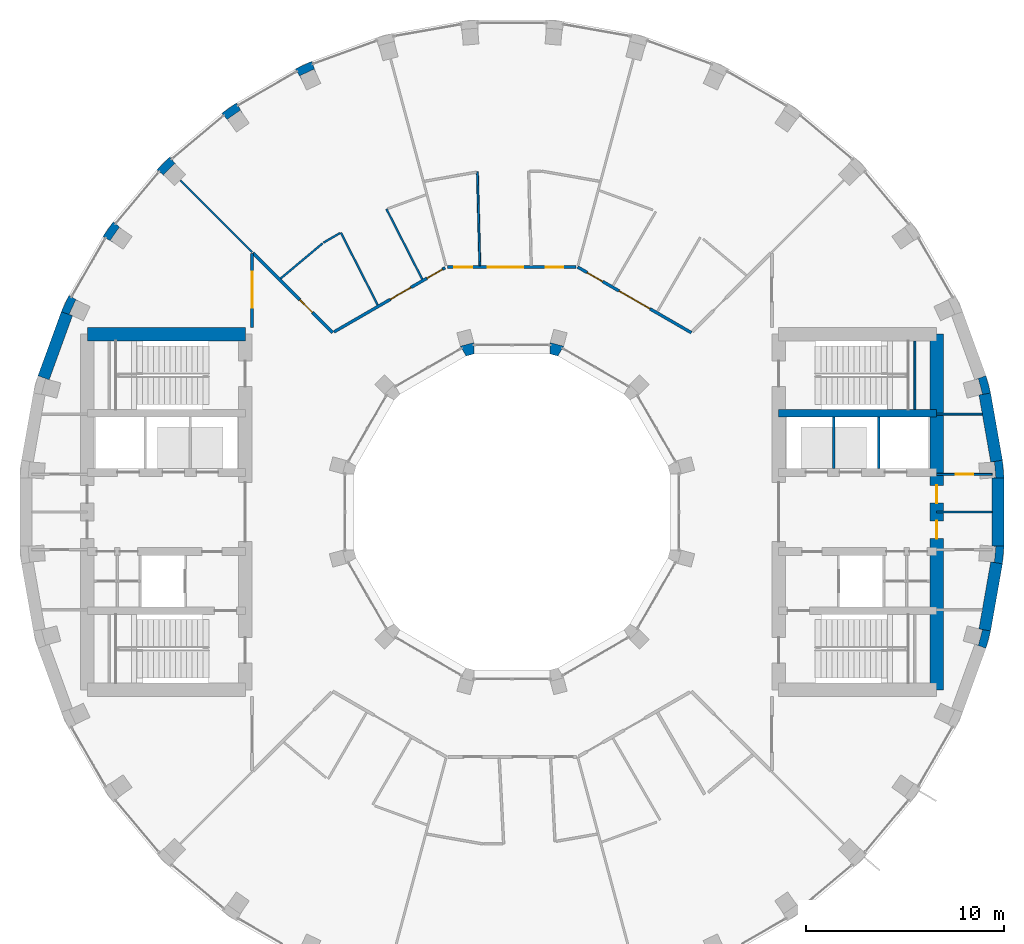
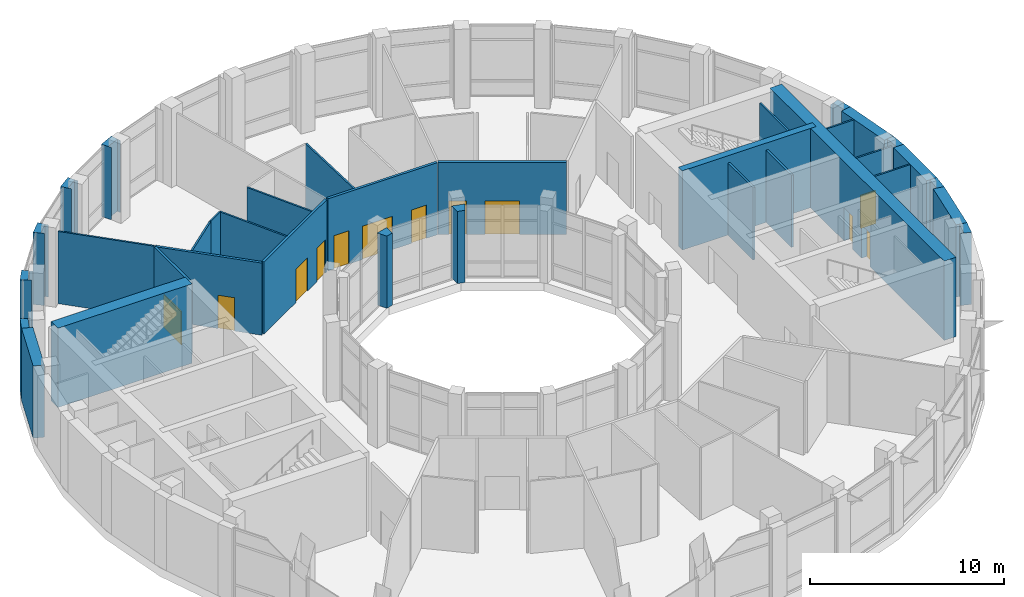
# One storey, part 14 of 18: 35 walls, 12 doors, 12 openings.
"""IFC4 building model written with IfcOpenShell, lengths in metres."""

from ifc_helpers import new_model, si_unit, direction, frame, frame_2d, origin, place, context, subcontext, project, spatial, polyline, rectangle, outline, extrude, material, layer, layer_set, type_object, element, fill, save


model = new_model("IFC4")

# Units and contexts
model_context = context("Model", 3, precision=1e-05, world=origin(), true_north=direction((0.0, 1.0)))
body_context = subcontext(model_context, "Body", "Model", "MODEL_VIEW")
ifc_project = project(units=[si_unit("LENGTHUNIT", "METRE"), si_unit("AREAUNIT", "SQUARE_METRE"), si_unit("VOLUMEUNIT", "CUBIC_METRE"), si_unit("PLANEANGLEUNIT", "RADIAN"), si_unit("MASSUNIT", "GRAM", prefix="KILO")], contexts=[model_context])

# Site, building, storey
site_placement = place(None, origin())
site = spatial("IfcSite", under=ifc_project, at=site_placement, CompositionType="ELEMENT")
building_placement = place(site_placement, origin())
building = spatial("IfcBuilding", under=site, at=building_placement, Name="Saqina Gate Tower", CompositionType="ELEMENT")
storey_placement = place(building_placement, frame((0.0, 0.0, 155.800048828125)))
storey = spatial("IfcBuildingStorey", under=building, at=storey_placement, Name="L44", CompositionType="ELEMENT", Elevation=155.800048828125)

# Walls
ifc_material_1 = material(Name="Brick masonry (buff)", Category="masonry")
wall_type_1 = type_object("IfcWallType", Name="BRICK PIER COPING BUFF", PredefinedType="SOLIDWALL", material=ifc_material_1)
wall_1_placement = place(storey_placement, origin())
element("IfcWall", 1, at=wall_1_placement, inside=storey, type_object=wall_type_1, Name="Pier cap L44 column 1", PredefinedType="SOLIDWALL", context=body_context, shape_type="SweptSolid", body=[
    extrude(outline(polyline([(24.90478515625, 1.724853515625), (24.825927734375, 2.6259765625), (24.235107421875, 2.521728515625), (24.421630859375, 2.5380859375), (24.491455078125, 1.7412109375), (24.304931640625, 1.724853515625), (24.90478515625, 1.724853515625)])), origin(), (0.0, 0.0, 1.0), 4.550048828125),
])
wall_2_placement = place(storey_placement, origin())
element("IfcWall", 2, at=wall_2_placement, inside=storey, type_object=wall_type_1, Name="Pier cap L44 column 2", PredefinedType="SOLIDWALL", context=body_context, shape_type="SweptSolid", body=[
    extrude(outline(polyline([(24.22705078125, 6.0234375), (23.992919921875, 6.897216796875), (23.428955078125, 6.69189453125), (23.610107421875, 6.740478515625), (23.81689453125, 5.967529296875), (23.635986328125, 5.919189453125), (24.22705078125, 6.0234375)])), origin(), (0.0, 0.0, 1.0), 4.550048828125),
])
wall_3_placement = place(storey_placement, origin())
element("IfcWall", 3, at=wall_3_placement, inside=storey, type_object=wall_type_1, Name="Pier cap L44 column 12", PredefinedType="SOLIDWALL", context=body_context, shape_type="SweptSolid", body=[
    extrude(outline(polyline([(-10.958740234375, 22.4306640625), (-10.65869140625, 21.9111328125), (-10.73779296875, 22.080810546875), (-10.0126953125, 22.4189453125), (-9.93359375, 22.249267578125), (-10.138916015625, 22.81298828125), (-10.958740234375, 22.4306640625)])), origin(), (0.0, 0.0, 1.0), 4.550048828125),
])
wall_4_placement = place(storey_placement, origin())
element("IfcWall", 4, at=wall_4_placement, inside=storey, type_object=wall_type_1, Name="Pier cap L44 column 13", PredefinedType="SOLIDWALL", context=body_context, shape_type="SweptSolid", body=[
    extrude(outline(polyline([(-13.9462890625, 20.705810546875), (-14.687255859375, 20.18701171875), (-14.301513671875, 19.727294921875), (-14.408935546875, 19.880859375), (-13.753662109375, 20.339599609375), (-13.646240234375, 20.186279296875), (-13.9462890625, 20.705810546875)])), origin(), (0.0, 0.0, 1.0), 4.550048828125),
])
wall_5_placement = place(storey_placement, origin())
element("IfcWall", 5, at=wall_5_placement, inside=storey, type_object=wall_type_1, Name="Pier cap L44 column 14", PredefinedType="SOLIDWALL", context=body_context, shape_type="SweptSolid", body=[
    extrude(outline(polyline([(-17.969482421875, 17.329833984375), (-17.510009765625, 16.944091796875), (-17.642333984375, 17.07666015625), (-17.07666015625, 17.642333984375), (-16.944091796875, 17.510009765625), (-17.329833984375, 17.969482421875), (-17.969482421875, 17.329833984375)])), origin(), (0.0, 0.0, 1.0), 4.550048828125),
])
wall_6_placement = place(storey_placement, origin())
element("IfcWall", 6, at=wall_6_placement, inside=storey, type_object=wall_type_1, Name="Pier cap L44 column 15", PredefinedType="SOLIDWALL", context=body_context, shape_type="SweptSolid", body=[
    extrude(outline(polyline([(-20.18701171875, 14.687255859375), (-20.705810546875, 13.9462890625), (-20.186279296875, 13.646240234375), (-20.339599609375, 13.753662109375), (-19.880859375, 14.408935546875), (-19.727294921875, 14.301513671875), (-20.18701171875, 14.687255859375)])), origin(), (0.0, 0.0, 1.0), 4.550048828125),
])
wall_7_placement = place(storey_placement, origin())
element("IfcWall", 7, at=wall_7_placement, inside=storey, type_object=wall_type_1, Name="Pier cap L44 column 16", PredefinedType="SOLIDWALL", context=body_context, shape_type="SweptSolid", body=[
    extrude(outline(polyline([(-22.81298828125, 10.138916015625), (-22.249267578125, 9.93359375), (-22.4189453125, 10.0126953125), (-22.080810546875, 10.73779296875), (-21.9111328125, 10.65869140625), (-22.4306640625, 10.958740234375), (-22.81298828125, 10.138916015625)])), origin(), (0.0, 0.0, 1.0), 4.550048828125),
])
wall_8_placement = place(storey_placement, origin())
element("IfcWall", 8, at=wall_8_placement, inside=storey, type_object=wall_type_1, Name="Pier cap L44 column 35", PredefinedType="SOLIDWALL", context=body_context, shape_type="SweptSolid", body=[
    extrude(outline(polyline([(24.22705078125, -6.0234375), (23.635986328125, -5.919189453125), (23.81689453125, -5.967529296875), (23.610107421875, -6.740478515625), (23.428955078125, -6.69189453125), (23.992919921875, -6.897216796875), (24.22705078125, -6.0234375)])), origin(), (0.0, 0.0, 1.0), 4.550048828125),
])
wall_9_placement = place(storey_placement, origin())
element("IfcWall", 9, at=wall_9_placement, inside=storey, type_object=wall_type_1, Name="Pier cap L44 column 36", PredefinedType="SOLIDWALL", context=body_context, shape_type="SweptSolid", body=[
    extrude(outline(polyline([(24.825927734375, -2.6259765625), (24.90478515625, -1.724853515625), (24.304931640625, -1.724853515625), (24.491455078125, -1.7412109375), (24.421630859375, -2.5380859375), (24.235107421875, -2.521728515625), (24.825927734375, -2.6259765625)])), origin(), (0.0, 0.0, 1.0), 4.550048828125),
])
ifc_material_2 = material(Name="Gypsum board on steel studs", Category="steel")
ifc_layer_1 = layer(ifc_material_2, 0.10009765625)
ifc_layer_set_1 = layer_set([ifc_layer_1], Name="CORE PARTITION")
wall_type_2 = type_object("IfcWallType", Name="CORE PARTITION", PredefinedType="PARTITIONING", material=ifc_layer_set_1)
wall_10_placement = place(storey_placement, frame((21.5, 4.949951171875, 0.0), z_axis=(0.0, 0.0, 1.0), x_axis=(1.0, 0.0, 0.0)))
element("IfcWall", 10, at=wall_10_placement, inside=storey, type_object=wall_type_2, Name="L44-CP-E01", PredefinedType="PARTITIONING", context=body_context, shape_type="SweptSolid", body=[
    extrude(rectangle(XDim=2.306884765625, YDim=0.10009765625, at=frame_2d((1.1533203125, 0.0))), origin(), (0.0, 0.0, 1.0), 4.550048828125),
])

# Wall, opening, door
wall_11_placement = place(storey_placement, frame((21.5, 1.89990234375, 0.0), z_axis=(0.0, 0.0, 1.0), x_axis=(1.0, 0.0, 0.0)))
wall_11 = element("IfcWall", 11, at=wall_11_placement, inside=storey, type_object=wall_type_2, Name="L44-CP-E02", PredefinedType="PARTITIONING", context=body_context, shape_type="SweptSolid", body=[
    extrude(rectangle(XDim=2.804931640625, YDim=0.10009765625, at=frame_2d((1.40234375, 0.0))), origin(), (0.0, 0.0, 1.0), 4.550048828125),
])
opening_1_placement = place(wall_11_placement, frame((0.952392578125, 0.0, 0.0)))
opening_1 = element("IfcOpeningElement", 12, at=opening_1_placement, cuts=wall_11, Name="Opening L44-D93", PredefinedType="OPENING", context=body_context, shape_type="SweptSolid", body=[
    extrude(rectangle(XDim=0.89990234375, YDim=2.10009765625, at=frame_2d((0.449951171875, 1.050048828125))), frame((0.0, 0.06201171875, 0.0), z_axis=(0.0, -1.0, 0.0), x_axis=(1.0, 0.0, 0.0)), (0.0, 0.0, 1.0), 0.1240234375),
])
ifc_material_3 = material(Name="Steel-framed fire door leaf, EI 60", Category="steel")
door_type_1 = type_object("IfcDoorType", Name="SERVICE ROOM DOOR 900", OperationType="SINGLE_SWING_LEFT", PredefinedType="DOOR", material=ifc_material_3)
door_1_placement = place(opening_1_placement, origin())
door_1 = element("IfcDoor", 13, at=door_1_placement, inside=storey, type_object=door_type_1, Name="L44-CD-E04", OperationType="SINGLE_SWING_LEFT", OverallHeight=2.10009765625, OverallWidth=0.89990234375, PredefinedType="DOOR", context=body_context, shape_type="SweptSolid", body=[
    extrude(rectangle(XDim=0.89990234375, YDim=2.10009765625, at=frame_2d((0.449951171875, 1.050048828125))), frame((0.0, 0.02490234375, 0.0), z_axis=(0.0, -1.0, 0.0), x_axis=(1.0, 0.0, 0.0)), (0.0, 0.0, 1.0), 0.050048828125),
])
fill(opening_1, door_1)

# Walls
wall_12_placement = place(storey_placement, frame((21.5, 0.0, 0.0), z_axis=(0.0, 0.0, 1.0), x_axis=(1.0, 0.0, 0.0)))
element("IfcWall", 14, at=wall_12_placement, inside=storey, type_object=wall_type_2, Name="L44-CP-E05", PredefinedType="PARTITIONING", context=body_context, shape_type="SweptSolid", body=[
    extrude(rectangle(XDim=2.804931640625, YDim=0.10009765625, at=frame_2d((1.40234375, 0.0))), origin(), (0.0, 0.0, 1.0), 4.550048828125),
])
ifc_material_4 = material(Name="Glazed ceramic tile", Category="ceramic")
ifc_layer_2 = layer(ifc_material_4, 0.60009765625)
ifc_layer_set_2 = layer_set([ifc_layer_2], Name="FW-TILE")
wall_type_3 = type_object("IfcWallType", Name="FW-TILE", PredefinedType="SOLIDWALL", material=ifc_layer_set_2)
for number, where, z_axis, x_axis, name in (
    (15, (24.530517578125, 2.573974609375, 0.0), (0.0, 0.0, 1.0), (-0.173607684551, 0.984814892183, 0.0), "Facade wall L44 facet 1"),
    (16, (23.931640625, -5.97119140625, 0.0), (0.0, 0.0, 1.0), (0.173607684551, 0.984814892183, 0.0), "Facade wall L44 facet 35"),
):
    element("IfcWall", number, at=place(storey_placement, frame(where, z_axis=z_axis, x_axis=x_axis)), inside=storey, type_object=wall_type_3, Name=name, PredefinedType="SOLIDWALL", context=body_context, shape_type="SweptSolid", body=[
        extrude(rectangle(XDim=3.44970703125, YDim=0.60009765625, at=frame_2d((1.724853515625, 0.0))), origin(), (0.0, 0.0, 1.0), 4.550048828125),
    ])
ifc_material_5 = material(Name="Glazed ceramic tile (white)", Category="ceramic")
ifc_layer_3 = layer(ifc_material_5, 0.60009765625)
ifc_layer_set_3 = layer_set([ifc_layer_3], Name="FW-TILE-WH")
wall_type_4 = type_object("IfcWallType", Name="FW-TILE-WH", PredefinedType="SOLIDWALL", material=ifc_layer_set_3)
for number, where, z_axis, x_axis, name in (
    (17, (-22.531005859375, 10.0361328125, 0.0), (0.0, 0.0, 1.0), (-0.342032843455, -0.93968799822, 0.0), "Facade wall L44 facet 16"),
    (18, (24.60498046875, -1.724853515625, 0.0), (0.0, 0.0, 1.0), (0.0, 1.0, 0.0), "Facade wall L44 facet 36"),
):
    element("IfcWall", number, at=place(storey_placement, frame(where, z_axis=z_axis, x_axis=x_axis)), inside=storey, type_object=wall_type_4, Name=name, PredefinedType="SOLIDWALL", context=body_context, shape_type="SweptSolid", body=[
        extrude(rectangle(XDim=3.44970703125, YDim=0.60009765625, at=frame_2d((1.724853515625, 0.0))), origin(), (0.0, 0.0, 1.0), 4.550048828125),
    ])
ifc_material_6 = material(Name="Autoclaved aerated concrete block", Category="concrete")
ifc_layer_4 = layer(ifc_material_6, 0.1201171875)
ifc_layer_set_4 = layer_set([ifc_layer_4], Name="SHAFT PARTITION")
wall_type_5 = type_object("IfcWallType", Name="SHAFT PARTITION", PredefinedType="PARTITIONING", material=ifc_layer_set_4)
for number, where, z_axis, x_axis, name in (
    (19, (16.280029296875, 2.199951171875, 0.0), (0.0, 0.0, 1.0), (0.0, 1.0, 0.0), "L44-CP-E06"),
    (20, (18.56005859375, 2.199951171875, 0.0), (0.0, 0.0, 1.0), (0.0, 1.0, 0.0), "L44-CP-E07"),
):
    element("IfcWall", number, at=place(storey_placement, frame(where, z_axis=z_axis, x_axis=x_axis)), inside=storey, type_object=wall_type_5, Name=name, PredefinedType="PARTITIONING", context=body_context, shape_type="SweptSolid", body=[
        extrude(rectangle(XDim=2.60009765625, YDim=0.1201171875, at=frame_2d((1.300048828125, 0.0))), origin(), (0.0, 0.0, 1.0), 4.550048828125),
    ])
ifc_material_7 = material(Name="Gypsum board on steel studs, 100 mm", Category="steel")
ifc_layer_5 = layer(ifc_material_7, 0.10009765625)
ifc_layer_set_5 = layer_set([ifc_layer_5], Name="SPECIAL PARTITION 100")
wall_type_6 = type_object("IfcWallType", Name="SPECIAL PARTITION 100", PredefinedType="PARTITIONING", material=ifc_layer_set_5)
wall_13_placement = place(storey_placement, frame((-1.7509765625, 17.2119140625, 0.0), z_axis=(0.0, 0.0, 1.0), x_axis=(0.026173897622, -0.999657404856, 0.0)))
element("IfcWall", 21, at=wall_13_placement, inside=storey, type_object=wall_type_6, Name="PARTITION 001", PredefinedType="PARTITIONING", context=body_context, shape_type="SweptSolid", body=[
    extrude(rectangle(XDim=4.738525390625, YDim=0.10009765625, at=frame_2d((2.369140625, 0.0))), origin(), (0.0, 0.0, 1.0), 4.550048828125),
])
wall_14_placement = place(storey_placement, frame((-8.6650390625, 14.14208984375, 0.0), z_axis=(0.0, 0.0, 1.0), x_axis=(0.453972049437, -0.891015924847, 0.0)))
element("IfcWall", 22, at=wall_14_placement, inside=storey, type_object=wall_type_6, Name="PARTITION 007", PredefinedType="PARTITIONING", context=body_context, shape_type="SweptSolid", body=[
    extrude(rectangle(XDim=4.1103515625, YDim=0.10009765625, at=frame_2d((2.05517578125, 0.0))), origin(), (0.0, 0.0, 1.0), 4.550048828125),
])
wall_15_placement = place(storey_placement, frame((-6.35302734375, 15.33203125, 0.0), z_axis=(0.0, 0.0, 1.0), x_axis=(0.454013892244, -0.890994604725, 0.0)))
element("IfcWall", 23, at=wall_15_placement, inside=storey, type_object=wall_type_6, Name="PARTITION 008", PredefinedType="PARTITIONING", context=body_context, shape_type="SweptSolid", body=[
    extrude(rectangle(XDim=3.984619140625, YDim=0.10009765625, at=frame_2d((1.9921875, 0.0))), origin(), (0.0, 0.0, 1.0), 4.550048828125),
])
wall_16_placement = place(storey_placement, frame((-16.78662109375, 16.78662109375, 0.0), z_axis=(0.0, 0.0, 1.0), x_axis=(0.707106781187, -0.707106781187, 0.0)))
element("IfcWall", 24, at=wall_16_placement, inside=storey, type_object=wall_type_6, Name="PARTITION 011", PredefinedType="PARTITIONING", context=body_context, shape_type="SweptSolid", body=[
    extrude(rectangle(XDim=5.14306640625, YDim=0.10009765625, at=frame_2d((2.571533203125, 0.0))), origin(), (0.0, 0.0, 1.0), 4.550048828125),
])
wall_17_placement = place(storey_placement, frame((-9.5458984375, 13.633056640625, 0.0), z_axis=(0.0, 0.0, 1.0), x_axis=(0.865903940918, 0.500210320868, 0.0)))
element("IfcWall", 25, at=wall_17_placement, inside=storey, type_object=wall_type_6, Name="PARTITION 033", PredefinedType="PARTITIONING", context=body_context, shape_type="SweptSolid", body=[
    extrude(rectangle(XDim=0.96728515625, YDim=0.10009765625, at=frame_2d((0.483642578125, 0.0))), origin(), (0.0, 0.0, 1.0), 4.550048828125),
])
wall_18_placement = place(storey_placement, frame((-11.71142578125, 11.817138671875, 0.0), z_axis=(0.0, 0.0, 1.0), x_axis=(0.76626417204, 0.642525656023, 0.0)))
element("IfcWall", 26, at=wall_18_placement, inside=storey, type_object=wall_type_6, Name="PARTITION 035", PredefinedType="PARTITIONING", context=body_context, shape_type="SweptSolid", body=[
    extrude(rectangle(XDim=2.776123046875, YDim=0.10009765625, at=frame_2d((1.38818359375, 0.0))), origin(), (0.0, 0.0, 1.0), 4.550048828125),
])

# Wall, opening, door
ifc_material_8 = material(Name="Gypsum board on steel studs, 150 mm, fire rated", Category="steel")
ifc_layer_6 = layer(ifc_material_8, 0.14990234375)
ifc_layer_set_6 = layer_set([ifc_layer_6], Name="SPECIAL PARTITION EI 30 150")
wall_type_7 = type_object("IfcWallType", Name="SPECIAL PARTITION EI 30 150", PredefinedType="PARTITIONING", material=ifc_layer_set_6)
wall_19_placement = place(storey_placement, frame((-13.114501953125, 13.114501953125, 0.0), z_axis=(0.0, 0.0, 1.0), x_axis=(0.707106781187, -0.707106781187, 0.0)))
wall_19 = element("IfcWall", 27, at=wall_19_placement, inside=storey, type_object=wall_type_7, Name="PARTITION 013", PredefinedType="PARTITIONING", context=body_context, shape_type="SweptSolid", body=[
    extrude(rectangle(XDim=5.7099609375, YDim=0.14990234375, at=frame_2d((2.85498046875, 0.0))), origin(), (0.0, 0.0, 1.0), 4.550048828125),
])
opening_2_placement = place(wall_19_placement, frame((3.356689453125, 0.0, 0.0)))
opening_2 = element("IfcOpeningElement", 28, at=opening_2_placement, cuts=wall_19, Name="Opening L44-D11", PredefinedType="OPENING", context=body_context, shape_type="SweptSolid", body=[
    extrude(rectangle(XDim=0.89990234375, YDim=2.10009765625, at=frame_2d((0.449951171875, 1.050048828125))), frame((0.0, 0.0869140625, 0.0), z_axis=(0.0, -1.0, 0.0), x_axis=(1.0, 0.0, 0.0)), (0.0, 0.0, 1.0), 0.173828125),
])
ifc_material_9 = material(Name="Steel-framed fire door leaf, EI 30", Category="steel")
door_type_2 = type_object("IfcDoorType", Name="SPECIAL DOOR 900 FIRE EI 30", OperationType="SINGLE_SWING_LEFT", PredefinedType="DOOR", material=ifc_material_9)
door_2_placement = place(opening_2_placement, origin())
door_2 = element("IfcDoor", 29, at=door_2_placement, inside=storey, type_object=door_type_2, Name="DOOR L44-D11", OperationType="SINGLE_SWING_RIGHT", OverallHeight=2.10009765625, OverallWidth=0.89990234375, PredefinedType="DOOR", context=body_context, shape_type="SweptSolid", body=[
    extrude(rectangle(XDim=0.89990234375, YDim=2.10009765625, at=frame_2d((0.449951171875, 1.050048828125))), frame((0.0, 0.02490234375, 0.0), z_axis=(0.0, -1.0, 0.0), x_axis=(1.0, 0.0, 0.0)), (0.0, 0.0, 1.0), 0.050048828125),
])
fill(opening_2, door_2)

# Wall, openings, doors
wall_20_placement = place(storey_placement, frame((3.322998046875, 12.39990234375, 0.0), z_axis=(0.0, 0.0, 1.0), x_axis=(0.865961614908, -0.500110469302, 0.0)))
wall_20 = element("IfcWall", 30, at=wall_20_placement, inside=storey, type_object=wall_type_7, Name="PARTITION 018", PredefinedType="PARTITIONING", context=body_context, shape_type="SweptSolid", body=[
    extrude(rectangle(XDim=6.64453125, YDim=0.14990234375, at=frame_2d((3.322265625, 0.0))), origin(), (0.0, 0.0, 1.0), 4.550048828125),
])
opening_3_placement = place(wall_20_placement, frame((2.42236328125, 0.0, 0.0)))
opening_3 = element("IfcOpeningElement", 31, at=opening_3_placement, cuts=wall_20, Name="Opening L44-D03", PredefinedType="OPENING", context=body_context, shape_type="SweptSolid", body=[
    extrude(rectangle(XDim=1.800048828125, YDim=2.10009765625, at=frame_2d((0.89990234375, 1.050048828125))), frame((0.0, 0.0869140625, 0.0), z_axis=(0.0, -1.0, 0.0), x_axis=(1.0, 0.0, 0.0)), (0.0, 0.0, 1.0), 0.173828125),
])
opening_4_placement = place(wall_20_placement, frame((0.56103515625, 0.0, 0.0)))
opening_4 = element("IfcOpeningElement", 32, at=opening_4_placement, cuts=wall_20, Name="Opening L44-D04", PredefinedType="OPENING", context=body_context, shape_type="SweptSolid", body=[
    extrude(rectangle(XDim=0.89990234375, YDim=2.10009765625, at=frame_2d((0.449951171875, 1.050048828125))), frame((0.0, 0.0869140625, 0.0), z_axis=(0.0, -1.0, 0.0), x_axis=(1.0, 0.0, 0.0)), (0.0, 0.0, 1.0), 0.173828125),
])
door_3_placement = place(opening_4_placement, origin())
door_3 = element("IfcDoor", 33, at=door_3_placement, inside=storey, type_object=door_type_2, Name="DOOR L44-D04", OperationType="SINGLE_SWING_RIGHT", OverallHeight=2.10009765625, OverallWidth=0.89990234375, PredefinedType="DOOR", context=body_context, shape_type="SweptSolid", body=[
    extrude(rectangle(XDim=0.89990234375, YDim=2.10009765625, at=frame_2d((0.449951171875, 1.050048828125))), frame((0.0, 0.02490234375, 0.0), z_axis=(0.0, -1.0, 0.0), x_axis=(1.0, 0.0, 0.0)), (0.0, 0.0, 1.0), 0.050048828125),
])
fill(opening_4, door_3)
ifc_material_10 = material(Name="Steel-framed fire door leaf, EI 30", Category="steel")
door_type_3 = type_object("IfcDoorType", Name="SPECIAL DOUBLE DOOR 1800 FIRE EI 30", OperationType="DOUBLE_DOOR_SINGLE_SWING", PredefinedType="DOOR", material=ifc_material_10)
door_4_placement = place(opening_3_placement, frame((1.800048828125, 0.0, 0.0), z_axis=(0.0, 0.0, 1.0), x_axis=(-1.0, 0.0, 0.0)))
door_4 = element("IfcDoor", 34, at=door_4_placement, inside=storey, type_object=door_type_3, Name="DOOR L44-D03", OperationType="DOUBLE_DOOR_SINGLE_SWING", OverallHeight=2.10009765625, OverallWidth=1.800048828125, PredefinedType="DOOR", context=body_context, shape_type="SweptSolid", body=[
    extrude(rectangle(XDim=1.800048828125, YDim=2.10009765625, at=frame_2d((0.89990234375, 1.050048828125))), frame((0.0, 0.02490234375, 0.0), z_axis=(0.0, -1.0, 0.0), x_axis=(1.0, 0.0, 0.0)), (0.0, 0.0, 1.0), 0.050048828125),
])
fill(opening_3, door_4)

wall_21_placement = place(storey_placement, frame((-3.27294921875, 12.39990234375, 0.0), z_axis=(0.0, 0.0, 1.0), x_axis=(1.0, 0.0, 0.0)))
wall_21 = element("IfcWall", 35, at=wall_21_placement, inside=storey, type_object=wall_type_7, Name="PARTITION 025", PredefinedType="PARTITIONING", context=body_context, shape_type="SweptSolid", body=[
    extrude(rectangle(XDim=6.52099609375, YDim=0.14990234375, at=frame_2d((3.260498046875, 0.0))), origin(), (0.0, 0.0, 1.0), 4.550048828125),
])
opening_5_placement = place(wall_21_placement, frame((4.972412109375, 0.0, 0.0)))
opening_5 = element("IfcOpeningElement", 36, at=opening_5_placement, cuts=wall_21, Name="Opening L44-D05", PredefinedType="OPENING", context=body_context, shape_type="SweptSolid", body=[
    extrude(rectangle(XDim=0.89990234375, YDim=2.10009765625, at=frame_2d((0.449951171875, 1.050048828125))), frame((0.0, 0.0869140625, 0.0), z_axis=(0.0, -1.0, 0.0), x_axis=(1.0, 0.0, 0.0)), (0.0, 0.0, 1.0), 0.173828125),
])
opening_6_placement = place(wall_21_placement, frame((2.048583984375, 0.0, 0.0)))
opening_6 = element("IfcOpeningElement", 37, at=opening_6_placement, cuts=wall_21, Name="Opening L44-D07", PredefinedType="OPENING", context=body_context, shape_type="SweptSolid", body=[
    extrude(rectangle(XDim=1.800048828125, YDim=2.10009765625, at=frame_2d((0.89990234375, 1.050048828125))), frame((0.0, 0.0869140625, 0.0), z_axis=(0.0, -1.0, 0.0), x_axis=(1.0, 0.0, 0.0)), (0.0, 0.0, 1.0), 0.173828125),
])
opening_7_placement = place(wall_21_placement, frame((0.34912109375, 0.0, 0.0)))
opening_7 = element("IfcOpeningElement", 38, at=opening_7_placement, cuts=wall_21, Name="Opening L44-D08", PredefinedType="OPENING", context=body_context, shape_type="SweptSolid", body=[
    extrude(rectangle(XDim=0.89990234375, YDim=2.10009765625, at=frame_2d((0.449951171875, 1.050048828125))), frame((0.0, 0.0869140625, 0.0), z_axis=(0.0, -1.0, 0.0), x_axis=(1.0, 0.0, 0.0)), (0.0, 0.0, 1.0), 0.173828125),
])
door_5_placement = place(opening_5_placement, origin())
door_5 = element("IfcDoor", 39, at=door_5_placement, inside=storey, type_object=door_type_2, Name="DOOR L44-D05", OperationType="SINGLE_SWING_RIGHT", OverallHeight=2.10009765625, OverallWidth=0.89990234375, PredefinedType="DOOR", context=body_context, shape_type="SweptSolid", body=[
    extrude(rectangle(XDim=0.89990234375, YDim=2.10009765625, at=frame_2d((0.449951171875, 1.050048828125))), frame((0.0, 0.02490234375, 0.0), z_axis=(0.0, -1.0, 0.0), x_axis=(1.0, 0.0, 0.0)), (0.0, 0.0, 1.0), 0.050048828125),
])
fill(opening_5, door_5)
door_6_placement = place(opening_7_placement, origin())
door_6 = element("IfcDoor", 40, at=door_6_placement, inside=storey, type_object=door_type_2, Name="DOOR L44-D08", OperationType="SINGLE_SWING_RIGHT", OverallHeight=2.10009765625, OverallWidth=0.89990234375, PredefinedType="DOOR", context=body_context, shape_type="SweptSolid", body=[
    extrude(rectangle(XDim=0.89990234375, YDim=2.10009765625, at=frame_2d((0.449951171875, 1.050048828125))), frame((0.0, 0.02490234375, 0.0), z_axis=(0.0, -1.0, 0.0), x_axis=(1.0, 0.0, 0.0)), (0.0, 0.0, 1.0), 0.050048828125),
])
fill(opening_7, door_6)
door_7_placement = place(opening_6_placement, frame((1.800048828125, 0.0, 0.0), z_axis=(0.0, 0.0, 1.0), x_axis=(-1.0, 0.0, 0.0)))
door_7 = element("IfcDoor", 41, at=door_7_placement, inside=storey, type_object=door_type_3, Name="DOOR L44-D07", OperationType="DOUBLE_DOOR_SINGLE_SWING", OverallHeight=2.10009765625, OverallWidth=1.800048828125, PredefinedType="DOOR", context=body_context, shape_type="SweptSolid", body=[
    extrude(rectangle(XDim=1.800048828125, YDim=2.10009765625, at=frame_2d((0.89990234375, 1.050048828125))), frame((0.0, 0.02490234375, 0.0), z_axis=(0.0, -1.0, 0.0), x_axis=(1.0, 0.0, 0.0)), (0.0, 0.0, 1.0), 0.050048828125),
])
fill(opening_6, door_7)

wall_22_placement = place(storey_placement, frame((-9.01220703125, 9.114501953125, 0.0), z_axis=(0.0, 0.0, 1.0), x_axis=(0.865967095912, 0.5001009786, 0.0)))
wall_22 = element("IfcWall", 42, at=wall_22_placement, inside=storey, type_object=wall_type_7, Name="PARTITION 032", PredefinedType="PARTITIONING", context=body_context, shape_type="SweptSolid", body=[
    extrude(rectangle(XDim=6.494873046875, YDim=0.14990234375, at=frame_2d((3.24755859375, 0.0))), origin(), (0.0, 0.0, 1.0), 4.550048828125),
])
opening_8_placement = place(wall_22_placement, frame((5.434326171875, 0.0, 0.0)))
opening_8 = element("IfcOpeningElement", 43, at=opening_8_placement, cuts=wall_22, Name="Opening L44-D09", PredefinedType="OPENING", context=body_context, shape_type="SweptSolid", body=[
    extrude(rectangle(XDim=0.89990234375, YDim=2.10009765625, at=frame_2d((0.449951171875, 1.050048828125))), frame((0.0, 0.0869140625, 0.0), z_axis=(0.0, -1.0, 0.0), x_axis=(1.0, 0.0, 0.0)), (0.0, 0.0, 1.0), 0.173828125),
])
opening_9_placement = place(wall_22_placement, frame((3.297119140625, 0.0, 0.0)))
opening_9 = element("IfcOpeningElement", 44, at=opening_9_placement, cuts=wall_22, Name="Opening L44-D10", PredefinedType="OPENING", context=body_context, shape_type="SweptSolid", body=[
    extrude(rectangle(XDim=1.199951171875, YDim=2.10009765625, at=frame_2d((0.60009765625, 1.050048828125))), frame((0.0, 0.0869140625, 0.0), z_axis=(0.0, -1.0, 0.0), x_axis=(1.0, 0.0, 0.0)), (0.0, 0.0, 1.0), 0.173828125),
])
ifc_material_11 = material(Name="Steel-framed fire door leaf, EI 30", Category="steel")
door_type_4 = type_object("IfcDoorType", Name="SPECIAL DOOR 1200 FIRE EI 30", OperationType="SINGLE_SWING_LEFT", PredefinedType="DOOR", material=ifc_material_11)
door_8_placement = place(opening_9_placement, frame((1.199951171875, 0.0, 0.0), z_axis=(0.0, 0.0, 1.0), x_axis=(-1.0, 0.0, 0.0)))
door_8 = element("IfcDoor", 45, at=door_8_placement, inside=storey, type_object=door_type_4, Name="DOOR L44-D10", OperationType="SINGLE_SWING_LEFT", OverallHeight=2.10009765625, OverallWidth=1.199951171875, PredefinedType="DOOR", context=body_context, shape_type="SweptSolid", body=[
    extrude(rectangle(XDim=1.199951171875, YDim=2.10009765625, at=frame_2d((0.60009765625, 1.050048828125))), frame((0.0, 0.02490234375, 0.0), z_axis=(0.0, -1.0, 0.0), x_axis=(1.0, 0.0, 0.0)), (0.0, 0.0, 1.0), 0.050048828125),
])
fill(opening_9, door_8)
door_9_placement = place(opening_8_placement, origin())
door_9 = element("IfcDoor", 46, at=door_9_placement, inside=storey, type_object=door_type_2, Name="DOOR L44-D09", OperationType="SINGLE_SWING_RIGHT", OverallHeight=2.10009765625, OverallWidth=0.89990234375, PredefinedType="DOOR", context=body_context, shape_type="SweptSolid", body=[
    extrude(rectangle(XDim=0.89990234375, YDim=2.10009765625, at=frame_2d((0.449951171875, 1.050048828125))), frame((0.0, 0.02490234375, 0.0), z_axis=(0.0, -1.0, 0.0), x_axis=(1.0, 0.0, 0.0)), (0.0, 0.0, 1.0), 0.050048828125),
])
fill(opening_8, door_9)

# Wall, opening, door
wall_23_placement = place(storey_placement, frame((-13.14990234375, 9.35009765625, 0.0), z_axis=(0.0, 0.0, 1.0), x_axis=(0.0, 1.0, 0.0)))
wall_23 = element("IfcWall", 47, at=wall_23_placement, inside=storey, type_object=wall_type_7, Name="PARTITION 049", PredefinedType="PARTITIONING", context=body_context, shape_type="SweptSolid", body=[
    extrude(rectangle(XDim=3.724853515625, YDim=0.14990234375, at=frame_2d((1.8623046875, 0.0))), origin(), (0.0, 0.0, 1.0), 4.550048828125),
])
opening_10_placement = place(wall_23_placement, frame((1.0, 0.0, 0.0)))
opening_10 = element("IfcOpeningElement", 48, at=opening_10_placement, cuts=wall_23, Name="Opening L44-D12", PredefinedType="OPENING", context=body_context, shape_type="SweptSolid", body=[
    extrude(rectangle(XDim=1.800048828125, YDim=2.10009765625, at=frame_2d((0.89990234375, 1.050048828125))), frame((0.0, 0.0869140625, 0.0), z_axis=(0.0, -1.0, 0.0), x_axis=(1.0, 0.0, 0.0)), (0.0, 0.0, 1.0), 0.173828125),
])
door_10_placement = place(opening_10_placement, origin())
door_10 = element("IfcDoor", 49, at=door_10_placement, inside=storey, type_object=door_type_3, Name="DOOR L44-D12", OperationType="DOUBLE_DOOR_SINGLE_SWING", OverallHeight=2.10009765625, OverallWidth=1.800048828125, PredefinedType="DOOR", context=body_context, shape_type="SweptSolid", body=[
    extrude(rectangle(XDim=1.800048828125, YDim=2.10009765625, at=frame_2d((0.89990234375, 1.050048828125))), frame((0.0, 0.02490234375, 0.0), z_axis=(0.0, -1.0, 0.0), x_axis=(1.0, 0.0, 0.0)), (0.0, 0.0, 1.0), 0.050048828125),
])
fill(opening_10, door_10)

# Walls
ifc_material_12 = material(Name="Autoclaved aerated concrete block", Category="concrete")
ifc_layer_7 = layer(ifc_material_12, 0.10009765625)
ifc_layer_set_7 = layer_set([ifc_layer_7], Name="STAIR ENCLOSURE WALL")
wall_type_8 = type_object("IfcWallType", Name="STAIR ENCLOSURE WALL", PredefinedType="PARTITIONING", material=ifc_layer_set_7)
wall_24_placement = place(storey_placement, frame((20.389892578125, 5.199951171875, 0.0), z_axis=(0.0, 0.0, 1.0), x_axis=(0.0, 1.0, 0.0)))
element("IfcWall", 50, at=wall_24_placement, inside=storey, type_object=wall_type_8, Name="L44-CP-E13", PredefinedType="PARTITIONING", context=body_context, shape_type="SweptSolid", body=[
    extrude(rectangle(XDim=3.449951171875, YDim=0.10009765625, at=frame_2d((1.72509765625, 0.0))), origin(), (0.0, 0.0, 1.0), 4.550048828125),
])
ifc_material_13 = material(Name="Concrete C60/75", Category="concrete")
ifc_layer_8 = layer(ifc_material_13, 0.39990234375)
ifc_layer_set_8 = layer_set([ifc_layer_8], Name="Concrete C60/75")
wall_type_9 = type_object("IfcWallType", Name="STR-CORE WALL-C-I", PredefinedType="SHEAR", material=ifc_layer_set_8)
wall_25_placement = place(storey_placement, frame((13.5, 5.0, 0.0), z_axis=(0.0, 0.0, 1.0), x_axis=(1.0, 0.0, 0.0)))
element("IfcWall", 51, at=wall_25_placement, inside=storey, type_object=wall_type_9, Name="CORE WALL L44 E-X1", PredefinedType="SHEAR", context=body_context, shape_type="SweptSolid", body=[
    extrude(rectangle(XDim=8.0, YDim=0.39990234375, at=frame_2d((4.0, 0.0))), origin(), (0.0, 0.0, 1.0), 5.0),
])

# Wall, openings, doors
ifc_material_14 = material(Name="Concrete C60/75", Category="concrete")
ifc_layer_9 = layer(ifc_material_14, 0.699951171875)
ifc_layer_set_9 = layer_set([ifc_layer_9], Name="Concrete C60/75")
wall_type_10 = type_object("IfcWallType", Name="STR-CORE WALL-C-O", PredefinedType="SHEAR", material=ifc_layer_set_9)
wall_26_placement = place(storey_placement, frame((21.5, -9.0, 0.0), z_axis=(0.0, 0.0, 1.0), x_axis=(0.0, 1.0, 0.0)))
wall_26 = element("IfcWall", 52, at=wall_26_placement, inside=storey, type_object=wall_type_10, Name="CORE WALL L44 E-W2", PredefinedType="SHEAR", context=body_context, shape_type="SweptSolid", body=[
    extrude(rectangle(XDim=18.0, YDim=0.699951171875, at=frame_2d((9.0, 0.0))), origin(), (0.0, 0.0, 1.0), 5.0),
])
opening_11_placement = place(wall_26_placement, frame((9.449951171875, 0.0, 0.0)))
opening_11 = element("IfcOpeningElement", 53, at=opening_11_placement, cuts=wall_26, Name="Opening L44-D94", PredefinedType="OPENING", context=body_context, shape_type="SweptSolid", body=[
    extrude(rectangle(XDim=0.89990234375, YDim=2.10009765625, at=frame_2d((0.449951171875, 1.050048828125))), frame((0.0, 0.362060546875, 0.0), z_axis=(0.0, -1.0, 0.0), x_axis=(1.0, 0.0, 0.0)), (0.0, 0.0, 1.0), 0.723876953125),
])
opening_12_placement = place(wall_26_placement, frame((7.64990234375, 0.0, 0.0)))
opening_12 = element("IfcOpeningElement", 54, at=opening_12_placement, cuts=wall_26, Name="Opening L44-D96", PredefinedType="OPENING", context=body_context, shape_type="SweptSolid", body=[
    extrude(rectangle(XDim=0.89990234375, YDim=2.10009765625, at=frame_2d((0.449951171875, 1.050048828125))), frame((0.0, 0.362060546875, 0.0), z_axis=(0.0, -1.0, 0.0), x_axis=(1.0, 0.0, 0.0)), (0.0, 0.0, 1.0), 0.723876953125),
])
door_11_placement = place(opening_11_placement, frame((0.89990234375, 0.0, 0.0), z_axis=(0.0, 0.0, 1.0), x_axis=(-1.0, 0.0, 0.0)))
door_11 = element("IfcDoor", 55, at=door_11_placement, inside=storey, type_object=door_type_1, Name="L44-CD-E05", OperationType="SINGLE_SWING_LEFT", OverallHeight=2.10009765625, OverallWidth=0.89990234375, PredefinedType="DOOR", context=body_context, shape_type="SweptSolid", body=[
    extrude(rectangle(XDim=0.89990234375, YDim=2.10009765625, at=frame_2d((0.449951171875, 1.050048828125))), frame((0.0, 0.02490234375, 0.0), z_axis=(0.0, -1.0, 0.0), x_axis=(1.0, 0.0, 0.0)), (0.0, 0.0, 1.0), 0.050048828125),
])
fill(opening_11, door_11)
door_12_placement = place(opening_12_placement, frame((0.89990234375, 0.0, 0.0), z_axis=(0.0, 0.0, 1.0), x_axis=(-1.0, 0.0, 0.0)))
door_12 = element("IfcDoor", 56, at=door_12_placement, inside=storey, type_object=door_type_1, Name="L44-CD-E07", OperationType="SINGLE_SWING_RIGHT", OverallHeight=2.10009765625, OverallWidth=0.89990234375, PredefinedType="DOOR", context=body_context, shape_type="SweptSolid", body=[
    extrude(rectangle(XDim=0.89990234375, YDim=2.10009765625, at=frame_2d((0.449951171875, 1.050048828125))), frame((0.0, 0.02490234375, 0.0), z_axis=(0.0, -1.0, 0.0), x_axis=(1.0, 0.0, 0.0)), (0.0, 0.0, 1.0), 0.050048828125),
])
fill(opening_12, door_12)

# Walls
wall_27_placement = place(storey_placement, frame((-13.5, 9.0, 0.0), z_axis=(0.0, 0.0, 1.0), x_axis=(-1.0, 0.0, 0.0)))
element("IfcWall", 57, at=wall_27_placement, inside=storey, type_object=wall_type_10, Name="CORE WALL L44 W-NE", PredefinedType="SHEAR", context=body_context, shape_type="SweptSolid", body=[
    extrude(rectangle(XDim=8.0, YDim=0.699951171875, at=frame_2d((4.0, 0.0))), origin(), (0.0, 0.0, 1.0), 5.0),
])
ifc_material_15 = material(Name="Glazed ceramic tile", Category="ceramic")
wall_type_11 = type_object("IfcWallType", Name="TILE PIER COPING", PredefinedType="SOLIDWALL", material=ifc_material_15)
wall_28_placement = place(storey_placement, origin())
element("IfcWall", 58, at=wall_28_placement, inside=storey, type_object=wall_type_11, Name="Well pier cap L44 column 3", PredefinedType="SOLIDWALL", context=body_context, shape_type="SweptSolid", body=[
    extrude(outline(polyline([(1.934814453125, 8.573486328125), (1.934814453125, 8.0), (2.32421875, 7.895751953125), (2.611083984375, 8.392333984375), (1.934814453125, 8.573486328125)])), origin(), (0.0, 0.0, 1.0), 4.550048828125),
])
wall_29_placement = place(storey_placement, origin())
element("IfcWall", 59, at=wall_29_placement, inside=storey, type_object=wall_type_11, Name="Well pier cap L44 column 4", PredefinedType="SOLIDWALL", context=body_context, shape_type="SweptSolid", body=[
    extrude(outline(polyline([(-1.934814453125, 8.0), (-1.934814453125, 8.573486328125), (-2.611083984375, 8.392333984375), (-2.32421875, 7.895751953125), (-1.934814453125, 8.0)])), origin(), (0.0, 0.0, 1.0), 4.550048828125),
])

save(model, "model.ifc")
